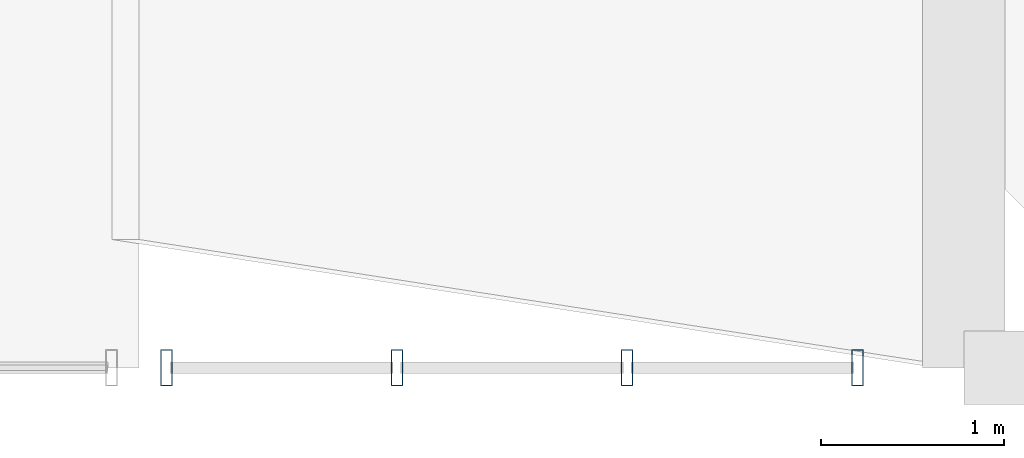
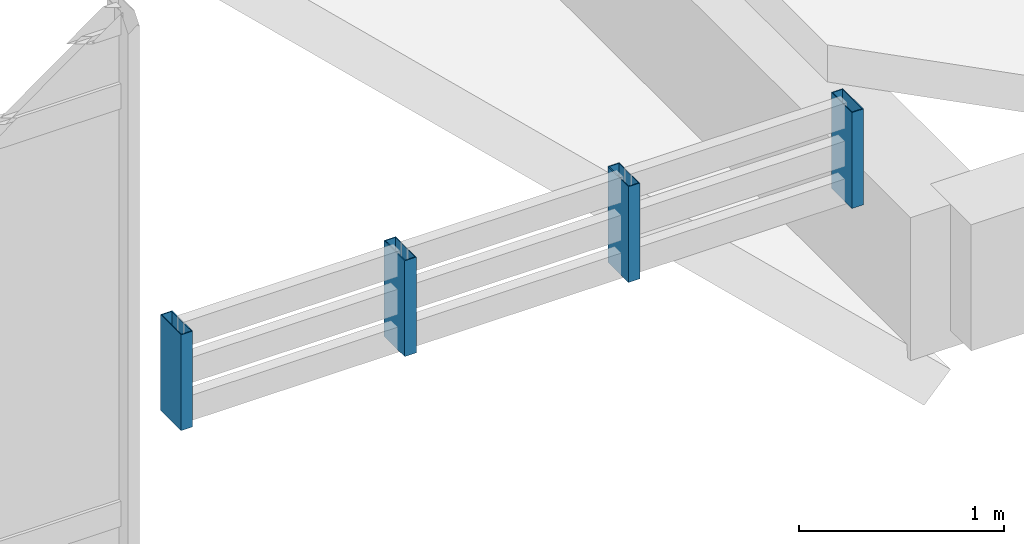
# One storey, part 63 of 82: 4 members, 1 element without a shape of its own.
"""IFC4 building model written with IfcOpenShell, lengths in metres."""

from ifc_helpers import new_model, si_unit, direction, frame, origin, origin_2d, place, context, subcontext, project, spatial, hollow_rectangle, extrude, material, layer, layer_set, material_profile, profile_set, type_object, element, aggregate, save


model = new_model("IFC4")

# Units and contexts
model_context = context("Model", 3, precision=1e-05, world=origin(), true_north=direction((0.0, 1.0)))
body_context = subcontext(model_context, "Body", "Model", "MODEL_VIEW")
ifc_project = project(units=[si_unit("LENGTHUNIT", "METRE"), si_unit("AREAUNIT", "SQUARE_METRE"), si_unit("VOLUMEUNIT", "CUBIC_METRE"), si_unit("PLANEANGLEUNIT", "RADIAN"), si_unit("MASSUNIT", "GRAM", prefix="KILO")], contexts=[model_context])

# Site, building, storey
site_placement = place(None, origin())
site = spatial("IfcSite", under=ifc_project, at=site_placement, CompositionType="ELEMENT")
building_placement = place(site_placement, origin())
building = spatial("IfcBuilding", under=site, at=building_placement, Name="Mersad Railyard Sports Hall", CompositionType="ELEMENT")
storey_placement = place(building_placement, frame((0.0, 0.0, 13.199951171875)))
storey = spatial("IfcBuildingStorey", under=building, at=storey_placement, Name="L03", CompositionType="ELEMENT", Elevation=13.199951171875)

# Curtain wall, members
ifc_material = material(Name="Aluminium 6063-T6", Category="aluminium")
ifc_layer = layer(ifc_material, 0.199951171875)
ifc_layer_set = layer_set([ifc_layer], Name="Aluminium 6063-T6")
curtain_wall_type = type_object("IfcCurtainWallType", Name="ARC-CW-CW40", PredefinedType="USERDEFINED", material=ifc_layer_set)
curtain_wall_placement = place(storey_placement, origin())
curtain_wall = element("IfcCurtainWall", 1, at=curtain_wall_placement, inside=storey, type_object=curtain_wall_type, Name="Curtain wall CW40-0126", ObjectType="CURTAIN WALL", PredefinedType="USERDEFINED")
ifc_material_profile = material_profile(ifc_material, hollow_rectangle(XDim=0.06494140625, YDim=0.199951171875, WallThickness=0.0048828125, at=origin_2d()), Name="AL MULLION 65x200x5")
ifc_profile_set = profile_set([ifc_material_profile], Name="Aluminium 6063-T6")
member_type = type_object("IfcMemberType", Name="ARC-CW-MUL02", PredefinedType="MULLION", material=ifc_profile_set)
member_1_placement = place(storey_placement, frame((172.419921875, 3.5, 0.030029296875), z_axis=(0.0, 0.0, 1.0), x_axis=(1.0, 0.0, 0.0)))
member_1 = element("IfcMember", 2, at=member_1_placement, type_object=member_type, Name="CW40 Mullion 1", PredefinedType="MULLION", context=body_context, shape_type="SweptSolid", body=[
    extrude(hollow_rectangle(XDim=0.06494140625, YDim=0.199951171875, WallThickness=0.0048828125, at=origin_2d()), origin(), (0.0, 0.0, 1.0), 0.570068359375),
])
member_2_placement = place(storey_placement, frame((171.163330078125, 3.5, 0.030029296875), z_axis=(0.0, 0.0, 1.0), x_axis=(1.0, 0.0, 0.0)))
member_2 = element("IfcMember", 3, at=member_2_placement, type_object=member_type, Name="CW40 Mullion 2", PredefinedType="MULLION", context=body_context, shape_type="SweptSolid", body=[
    extrude(hollow_rectangle(XDim=0.06494140625, YDim=0.199951171875, WallThickness=0.0048828125, at=origin_2d()), origin(), (0.0, 0.0, 1.0), 0.570068359375),
])
member_3_placement = place(storey_placement, frame((169.90673828125, 3.5, 0.030029296875), z_axis=(0.0, 0.0, 1.0), x_axis=(1.0, 0.0, 0.0)))
member_3 = element("IfcMember", 4, at=member_3_placement, type_object=member_type, Name="CW40 Mullion 3", PredefinedType="MULLION", context=body_context, shape_type="SweptSolid", body=[
    extrude(hollow_rectangle(XDim=0.06494140625, YDim=0.199951171875, WallThickness=0.0048828125, at=origin_2d()), origin(), (0.0, 0.0, 1.0), 0.570068359375),
])
member_4_placement = place(storey_placement, frame((168.64990234375, 3.5, 0.030029296875), z_axis=(0.0, 0.0, 1.0), x_axis=(1.0, 0.0, 0.0)))
member_4 = element("IfcMember", 5, at=member_4_placement, type_object=member_type, Name="CW40 Mullion 4", PredefinedType="MULLION", context=body_context, shape_type="SweptSolid", body=[
    extrude(hollow_rectangle(XDim=0.06494140625, YDim=0.199951171875, WallThickness=0.0048828125, at=origin_2d()), origin(), (0.0, 0.0, 1.0), 0.570068359375),
])
aggregate(curtain_wall, [member_1, member_2, member_3, member_4])

save(model, "model.ifc")
